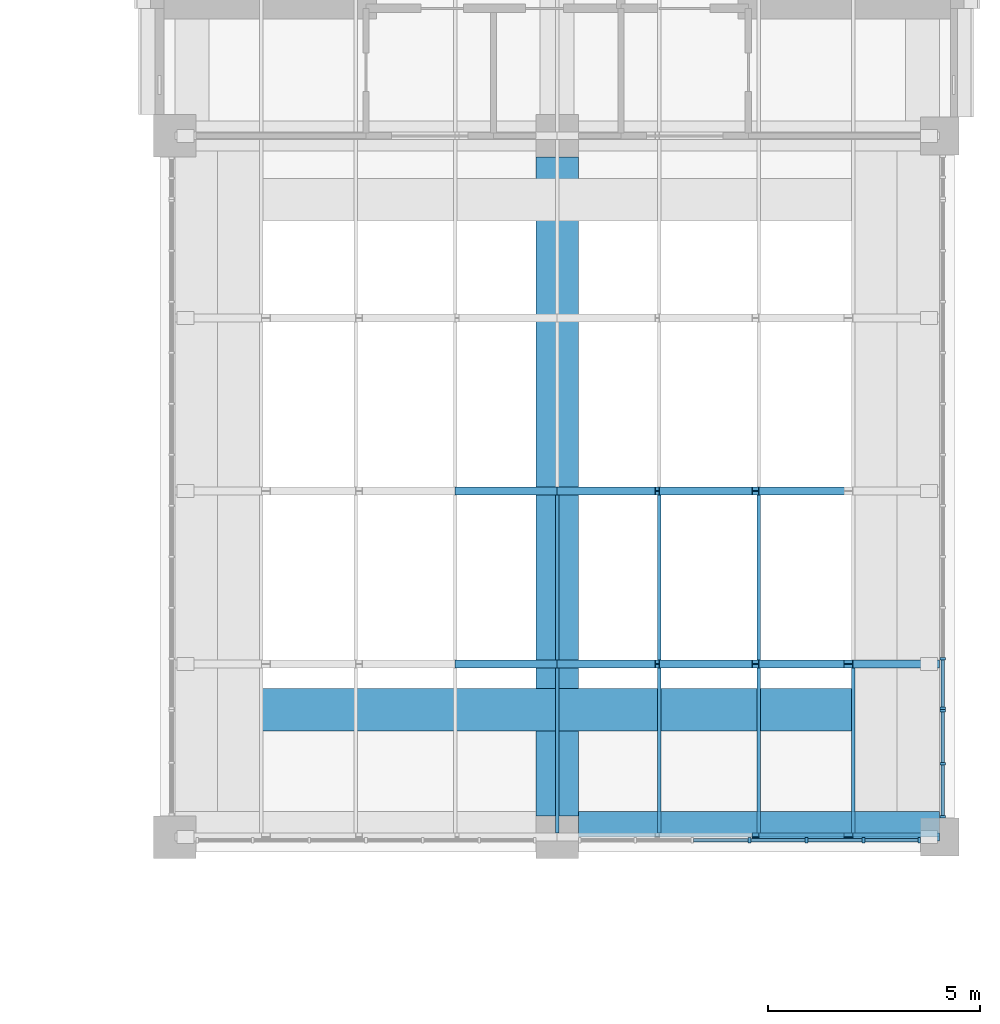
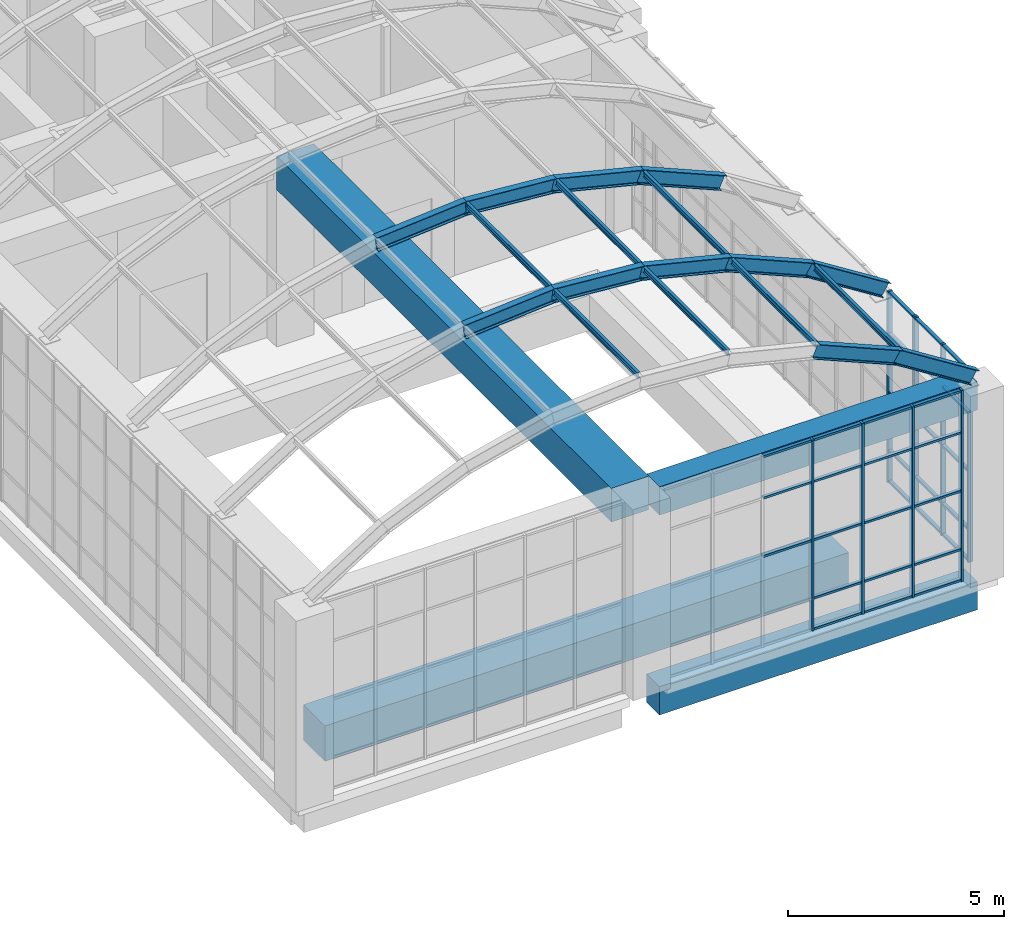
# One storey, part 8 of 39: 60 members, 4 beams, 3 elements without a shape of their own.
"""IFC4 building model written with IfcOpenShell, lengths in metres."""

from ifc_helpers import new_model, si_unit, direction, frame, origin, origin_2d, place, context, subcontext, project, spatial, rectangle, i_section, extrude, material, layer, layer_set, material_profile, profile_set, type_object, element, aggregate, save


model = new_model("IFC4")

# Units and contexts
model_context = context("Model", 3, precision=1e-05, world=origin(), true_north=direction((0.0, 1.0)))
body_context = subcontext(model_context, "Body", "Model", "MODEL_VIEW")
ifc_project = project(units=[si_unit("LENGTHUNIT", "METRE"), si_unit("AREAUNIT", "SQUARE_METRE"), si_unit("VOLUMEUNIT", "CUBIC_METRE"), si_unit("PLANEANGLEUNIT", "RADIAN"), si_unit("MASSUNIT", "GRAM", prefix="KILO")], contexts=[model_context])

# Site, building, storey
site_placement = place(None, origin())
site = spatial("IfcSite", under=ifc_project, at=site_placement, CompositionType="ELEMENT")
building_placement = place(site_placement, origin())
building = spatial("IfcBuilding", under=site, at=building_placement, Name="Aurelan Courthouse", CompositionType="ELEMENT")
storey_placement = place(building_placement, frame((0.0, 0.0, 28.199951171875)))
storey = spatial("IfcBuildingStorey", under=building, at=storey_placement, Name="L05", CompositionType="ELEMENT", Elevation=28.199951171875)

# Curtain wall, members
ifc_material_1 = material(Name="Bronze-finished aluminium and glass", Category="aluminium")
ifc_layer_1 = layer(ifc_material_1, 0.14990234375)
ifc_layer_set_1 = layer_set([ifc_layer_1], Name="Bronze-finished aluminium and glass")
curtain_wall_type_1 = type_object("IfcCurtainWallType", Name="Curtain wall 8050 x 5400", PredefinedType="NOTDEFINED", material=ifc_layer_set_1)
curtain_wall_1_placement = place(storey_placement, origin())
curtain_wall_1 = element("IfcCurtainWall", 1, at=curtain_wall_1_placement, inside=storey, type_object=curtain_wall_type_1, Name="Curtain wall CW-V3-L05-S02", PredefinedType="NOTDEFINED")
ifc_material_2 = material(Name="Bronze-finished aluminium", Category="aluminium")
ifc_material_profile_1 = material_profile(ifc_material_2, rectangle(XDim=0.125, YDim=0.06005859375, at=origin_2d()), Name="Bronze mullion 60 x 125")
ifc_profile_set_1 = profile_set([ifc_material_profile_1], Name="Bronze-finished aluminium")
member_type_1 = type_object("IfcMemberType", Name="Curtain wall mullion 60 x 125", PredefinedType="MULLION", material=ifc_profile_set_1)
member_1_placement = place(storey_placement, frame((85.52490234375, 37.425048828125, 0.0), z_axis=(0.0, 0.0, 1.0), x_axis=(0.0, 1.0, 0.0)))
member_1 = element("IfcMember", 2, at=member_1_placement, type_object=member_type_1, Name="CW-V3-L05-S02 mullion 4", PredefinedType="MULLION", context=body_context, shape_type="SweptSolid", body=[
    extrude(rectangle(XDim=0.125, YDim=0.06005859375, at=origin_2d()), origin(), (0.0, 0.0, 1.0), 5.400146484375),
])
member_2_placement = place(storey_placement, frame((86.86669921875, 37.425048828125, 0.0), z_axis=(0.0, 0.0, 1.0), x_axis=(0.0, 1.0, 0.0)))
member_2 = element("IfcMember", 3, at=member_2_placement, type_object=member_type_1, Name="CW-V3-L05-S02 mullion 5", PredefinedType="MULLION", context=body_context, shape_type="SweptSolid", body=[
    extrude(rectangle(XDim=0.125, YDim=0.06005859375, at=origin_2d()), origin(), (0.0, 0.0, 1.0), 5.400146484375),
])
member_3_placement = place(storey_placement, frame((88.208251953125, 37.425048828125, 0.0), z_axis=(0.0, 0.0, 1.0), x_axis=(0.0, 1.0, 0.0)))
member_3 = element("IfcMember", 4, at=member_3_placement, type_object=member_type_1, Name="CW-V3-L05-S02 mullion 6", PredefinedType="MULLION", context=body_context, shape_type="SweptSolid", body=[
    extrude(rectangle(XDim=0.125, YDim=0.06005859375, at=origin_2d()), origin(), (0.0, 0.0, 1.0), 5.400146484375),
])
member_4_placement = place(storey_placement, frame((89.52001953125, 37.425048828125, 0.0), z_axis=(0.0, 0.0, 1.0), x_axis=(0.0, 1.0, 0.0)))
member_4 = element("IfcMember", 5, at=member_4_placement, type_object=member_type_1, Name="CW-V3-L05-S02 mullion 7", PredefinedType="MULLION", context=body_context, shape_type="SweptSolid", body=[
    extrude(rectangle(XDim=0.125, YDim=0.06005859375, at=origin_2d()), origin(), (0.0, 0.0, 1.0), 5.400146484375),
])

ifc_layer_2 = layer(ifc_material_1, 0.14990234375)
ifc_layer_set_2 = layer_set([ifc_layer_2], Name="Bronze-finished aluminium and glass")
curtain_wall_type_2 = type_object("IfcCurtainWallType", Name="Curtain wall 2550 x 5400", PredefinedType="NOTDEFINED", material=ifc_layer_set_2)
curtain_wall_2_placement = place(storey_placement, origin())
curtain_wall_2 = element("IfcCurtainWall", 6, at=curtain_wall_2_placement, inside=storey, type_object=curtain_wall_type_2, Name="Curtain wall CW-V3-L05-E01", PredefinedType="NOTDEFINED")
member_5_placement = place(storey_placement, frame((90.074951171875, 37.97998046875, 0.0), z_axis=(0.0, 0.0, 1.0), x_axis=(-1.0, 0.0, 0.0)))
member_5 = element("IfcMember", 7, at=member_5_placement, type_object=member_type_1, Name="CW-V3-L05-E01 mullion 1", PredefinedType="MULLION", context=body_context, shape_type="SweptSolid", body=[
    extrude(rectangle(XDim=0.125, YDim=0.06005859375, at=origin_2d()), origin(), (0.0, 0.0, 1.0), 5.400146484375),
])
member_6_placement = place(storey_placement, frame((90.074951171875, 39.22509765625, 0.0), z_axis=(0.0, 0.0, 1.0), x_axis=(-1.0, 0.0, 0.0)))
member_6 = element("IfcMember", 8, at=member_6_placement, type_object=member_type_1, Name="CW-V3-L05-E01 mullion 2", PredefinedType="MULLION", context=body_context, shape_type="SweptSolid", body=[
    extrude(rectangle(XDim=0.125, YDim=0.06005859375, at=origin_2d()), origin(), (0.0, 0.0, 1.0), 5.400146484375),
])
member_7_placement = place(storey_placement, frame((90.074951171875, 40.469970703125, 0.0), z_axis=(0.0, 0.0, 1.0), x_axis=(-1.0, 0.0, 0.0)))
member_7 = element("IfcMember", 9, at=member_7_placement, type_object=member_type_1, Name="CW-V3-L05-E01 mullion 3", PredefinedType="MULLION", context=body_context, shape_type="SweptSolid", body=[
    extrude(rectangle(XDim=0.125, YDim=0.06005859375, at=origin_2d()), origin(), (0.0, 0.0, 1.0), 5.400146484375),
])

ifc_layer_3 = layer(ifc_material_1, 0.14990234375)
ifc_layer_set_3 = layer_set([ifc_layer_3], Name="Bronze-finished aluminium and glass")
curtain_wall_type_3 = type_object("IfcCurtainWallType", Name="Curtain wall 12000 x 5400", PredefinedType="NOTDEFINED", material=ifc_layer_set_3)
curtain_wall_3_placement = place(storey_placement, origin())
curtain_wall_3 = element("IfcCurtainWall", 10, at=curtain_wall_3_placement, inside=storey, type_object=curtain_wall_type_3, Name="Curtain wall CW-V3-L05-E02", PredefinedType="NOTDEFINED")
member_8_placement = place(storey_placement, frame((90.074951171875, 40.530029296875, 0.0), z_axis=(0.0, 0.0, 1.0), x_axis=(-1.0, 0.0, 0.0)))
member_8 = element("IfcMember", 11, at=member_8_placement, type_object=member_type_1, Name="CW-V3-L05-E02 mullion 1", PredefinedType="MULLION", context=body_context, shape_type="SweptSolid", body=[
    extrude(rectangle(XDim=0.125, YDim=0.06005859375, at=origin_2d()), origin(), (0.0, 0.0, 1.0), 5.400146484375),
])
member_9_placement = place(storey_placement, frame((90.074951171875, 41.699951171875, 0.0), z_axis=(0.0, 0.0, 1.0), x_axis=(-1.0, 0.0, 0.0)))
member_9 = element("IfcMember", 12, at=member_9_placement, type_object=member_type_1, Name="CW-V3-L05-E02 mullion 2", PredefinedType="MULLION", context=body_context, shape_type="SweptSolid", body=[
    extrude(rectangle(XDim=0.125, YDim=0.06005859375, at=origin_2d()), origin(), (0.0, 0.0, 1.0), 5.400146484375),
])

# Member
ifc_material_profile_2 = material_profile(ifc_material_2, rectangle(XDim=0.090087890625, YDim=0.06005859375, at=origin_2d()), Name="Bronze transom 60 x 90")
ifc_profile_set_2 = profile_set([ifc_material_profile_2], Name="Bronze-finished aluminium")
member_type_2 = type_object("IfcMemberType", Name="Curtain wall transom 60 x 90", PredefinedType="USERDEFINED", material=ifc_profile_set_2)
member_10_placement = place(storey_placement, frame((84.21337890625, 37.425048828125, 2.550048828125), z_axis=(1.0, 0.0, 0.0), x_axis=(0.0, 1.0, 0.0)))
member_10 = element("IfcMember", 13, at=member_10_placement, type_object=member_type_2, Name="CW-V3-L05-S02 transom 3.3", ObjectType="TRANSOM", PredefinedType="USERDEFINED", context=body_context, shape_type="SweptSolid", body=[
    extrude(rectangle(XDim=0.090087890625, YDim=0.06005859375, at=origin_2d()), origin(), (0.0, 0.0, 1.0), 1.28173828125),
])

member_11_placement = place(storey_placement, frame((84.21337890625, 37.425048828125, 4.199951171875), z_axis=(1.0, 0.0, 0.0), x_axis=(0.0, 1.0, 0.0)))
member_11 = element("IfcMember", 14, at=member_11_placement, type_object=member_type_2, Name="CW-V3-L05-S02 transom 3.4", ObjectType="TRANSOM", PredefinedType="USERDEFINED", context=body_context, shape_type="SweptSolid", body=[
    extrude(rectangle(XDim=0.090087890625, YDim=0.06005859375, at=origin_2d()), origin(), (0.0, 0.0, 1.0), 1.28173828125),
])

member_12_placement = place(storey_placement, frame((84.21337890625, 37.425048828125, 5.3701171875), z_axis=(1.0, 0.0, 0.0), x_axis=(0.0, 1.0, 0.0)))
member_12 = element("IfcMember", 15, at=member_12_placement, type_object=member_type_2, Name="CW-V3-L05-S02 transom 3.5", ObjectType="TRANSOM", PredefinedType="USERDEFINED", context=body_context, shape_type="SweptSolid", body=[
    extrude(rectangle(XDim=0.090087890625, YDim=0.06005859375, at=origin_2d()), origin(), (0.0, 0.0, 1.0), 1.28173828125),
])

member_13_placement = place(storey_placement, frame((85.554931640625, 37.425048828125, 0.030029296875), z_axis=(1.0, 0.0, 0.0), x_axis=(0.0, 1.0, 0.0)))
member_13 = element("IfcMember", 16, at=member_13_placement, type_object=member_type_2, Name="CW-V3-L05-S02 transom 4.1", ObjectType="TRANSOM", PredefinedType="USERDEFINED", context=body_context, shape_type="SweptSolid", body=[
    extrude(rectangle(XDim=0.090087890625, YDim=0.06005859375, at=origin_2d()), origin(), (0.0, 0.0, 1.0), 1.28173828125),
])

member_14_placement = place(storey_placement, frame((85.554931640625, 37.425048828125, 0.900146484375), z_axis=(1.0, 0.0, 0.0), x_axis=(0.0, 1.0, 0.0)))
member_14 = element("IfcMember", 17, at=member_14_placement, type_object=member_type_2, Name="CW-V3-L05-S02 transom 4.2", ObjectType="TRANSOM", PredefinedType="USERDEFINED", context=body_context, shape_type="SweptSolid", body=[
    extrude(rectangle(XDim=0.090087890625, YDim=0.06005859375, at=origin_2d()), origin(), (0.0, 0.0, 1.0), 1.28173828125),
])

member_15_placement = place(storey_placement, frame((85.554931640625, 37.425048828125, 2.550048828125), z_axis=(1.0, 0.0, 0.0), x_axis=(0.0, 1.0, 0.0)))
member_15 = element("IfcMember", 18, at=member_15_placement, type_object=member_type_2, Name="CW-V3-L05-S02 transom 4.3", ObjectType="TRANSOM", PredefinedType="USERDEFINED", context=body_context, shape_type="SweptSolid", body=[
    extrude(rectangle(XDim=0.090087890625, YDim=0.06005859375, at=origin_2d()), origin(), (0.0, 0.0, 1.0), 1.28173828125),
])

member_16_placement = place(storey_placement, frame((85.554931640625, 37.425048828125, 4.199951171875), z_axis=(1.0, 0.0, 0.0), x_axis=(0.0, 1.0, 0.0)))
member_16 = element("IfcMember", 19, at=member_16_placement, type_object=member_type_2, Name="CW-V3-L05-S02 transom 4.4", ObjectType="TRANSOM", PredefinedType="USERDEFINED", context=body_context, shape_type="SweptSolid", body=[
    extrude(rectangle(XDim=0.090087890625, YDim=0.06005859375, at=origin_2d()), origin(), (0.0, 0.0, 1.0), 1.28173828125),
])

member_17_placement = place(storey_placement, frame((85.554931640625, 37.425048828125, 5.3701171875), z_axis=(1.0, 0.0, 0.0), x_axis=(0.0, 1.0, 0.0)))
member_17 = element("IfcMember", 20, at=member_17_placement, type_object=member_type_2, Name="CW-V3-L05-S02 transom 4.5", ObjectType="TRANSOM", PredefinedType="USERDEFINED", context=body_context, shape_type="SweptSolid", body=[
    extrude(rectangle(XDim=0.090087890625, YDim=0.06005859375, at=origin_2d()), origin(), (0.0, 0.0, 1.0), 1.28173828125),
])

member_18_placement = place(storey_placement, frame((86.896728515625, 37.425048828125, 0.030029296875), z_axis=(1.0, 0.0, 0.0), x_axis=(0.0, 1.0, 0.0)))
member_18 = element("IfcMember", 21, at=member_18_placement, type_object=member_type_2, Name="CW-V3-L05-S02 transom 5.1", ObjectType="TRANSOM", PredefinedType="USERDEFINED", context=body_context, shape_type="SweptSolid", body=[
    extrude(rectangle(XDim=0.090087890625, YDim=0.06005859375, at=origin_2d()), origin(), (0.0, 0.0, 1.0), 1.281494140625),
])

member_19_placement = place(storey_placement, frame((86.896728515625, 37.425048828125, 0.900146484375), z_axis=(1.0, 0.0, 0.0), x_axis=(0.0, 1.0, 0.0)))
member_19 = element("IfcMember", 22, at=member_19_placement, type_object=member_type_2, Name="CW-V3-L05-S02 transom 5.2", ObjectType="TRANSOM", PredefinedType="USERDEFINED", context=body_context, shape_type="SweptSolid", body=[
    extrude(rectangle(XDim=0.090087890625, YDim=0.06005859375, at=origin_2d()), origin(), (0.0, 0.0, 1.0), 1.281494140625),
])

member_20_placement = place(storey_placement, frame((86.896728515625, 37.425048828125, 2.550048828125), z_axis=(1.0, 0.0, 0.0), x_axis=(0.0, 1.0, 0.0)))
member_20 = element("IfcMember", 23, at=member_20_placement, type_object=member_type_2, Name="CW-V3-L05-S02 transom 5.3", ObjectType="TRANSOM", PredefinedType="USERDEFINED", context=body_context, shape_type="SweptSolid", body=[
    extrude(rectangle(XDim=0.090087890625, YDim=0.06005859375, at=origin_2d()), origin(), (0.0, 0.0, 1.0), 1.281494140625),
])

member_21_placement = place(storey_placement, frame((86.896728515625, 37.425048828125, 4.199951171875), z_axis=(1.0, 0.0, 0.0), x_axis=(0.0, 1.0, 0.0)))
member_21 = element("IfcMember", 24, at=member_21_placement, type_object=member_type_2, Name="CW-V3-L05-S02 transom 5.4", ObjectType="TRANSOM", PredefinedType="USERDEFINED", context=body_context, shape_type="SweptSolid", body=[
    extrude(rectangle(XDim=0.090087890625, YDim=0.06005859375, at=origin_2d()), origin(), (0.0, 0.0, 1.0), 1.281494140625),
])

member_22_placement = place(storey_placement, frame((86.896728515625, 37.425048828125, 5.3701171875), z_axis=(1.0, 0.0, 0.0), x_axis=(0.0, 1.0, 0.0)))
member_22 = element("IfcMember", 25, at=member_22_placement, type_object=member_type_2, Name="CW-V3-L05-S02 transom 5.5", ObjectType="TRANSOM", PredefinedType="USERDEFINED", context=body_context, shape_type="SweptSolid", body=[
    extrude(rectangle(XDim=0.090087890625, YDim=0.06005859375, at=origin_2d()), origin(), (0.0, 0.0, 1.0), 1.281494140625),
])

member_23_placement = place(storey_placement, frame((88.23828125, 37.425048828125, 0.030029296875), z_axis=(1.0, 0.0, 0.0), x_axis=(0.0, 1.0, 0.0)))
member_23 = element("IfcMember", 26, at=member_23_placement, type_object=member_type_2, Name="CW-V3-L05-S02 transom 6.1", ObjectType="TRANSOM", PredefinedType="USERDEFINED", context=body_context, shape_type="SweptSolid", body=[
    extrude(rectangle(XDim=0.090087890625, YDim=0.06005859375, at=origin_2d()), origin(), (0.0, 0.0, 1.0), 1.251708984375),
])

member_24_placement = place(storey_placement, frame((88.23828125, 37.425048828125, 0.900146484375), z_axis=(1.0, 0.0, 0.0), x_axis=(0.0, 1.0, 0.0)))
member_24 = element("IfcMember", 27, at=member_24_placement, type_object=member_type_2, Name="CW-V3-L05-S02 transom 6.2", ObjectType="TRANSOM", PredefinedType="USERDEFINED", context=body_context, shape_type="SweptSolid", body=[
    extrude(rectangle(XDim=0.090087890625, YDim=0.06005859375, at=origin_2d()), origin(), (0.0, 0.0, 1.0), 1.251708984375),
])

member_25_placement = place(storey_placement, frame((88.23828125, 37.425048828125, 2.550048828125), z_axis=(1.0, 0.0, 0.0), x_axis=(0.0, 1.0, 0.0)))
member_25 = element("IfcMember", 28, at=member_25_placement, type_object=member_type_2, Name="CW-V3-L05-S02 transom 6.3", ObjectType="TRANSOM", PredefinedType="USERDEFINED", context=body_context, shape_type="SweptSolid", body=[
    extrude(rectangle(XDim=0.090087890625, YDim=0.06005859375, at=origin_2d()), origin(), (0.0, 0.0, 1.0), 1.251708984375),
])

member_26_placement = place(storey_placement, frame((88.23828125, 37.425048828125, 4.199951171875), z_axis=(1.0, 0.0, 0.0), x_axis=(0.0, 1.0, 0.0)))
member_26 = element("IfcMember", 29, at=member_26_placement, type_object=member_type_2, Name="CW-V3-L05-S02 transom 6.4", ObjectType="TRANSOM", PredefinedType="USERDEFINED", context=body_context, shape_type="SweptSolid", body=[
    extrude(rectangle(XDim=0.090087890625, YDim=0.06005859375, at=origin_2d()), origin(), (0.0, 0.0, 1.0), 1.251708984375),
])

member_27_placement = place(storey_placement, frame((88.23828125, 37.425048828125, 5.3701171875), z_axis=(1.0, 0.0, 0.0), x_axis=(0.0, 1.0, 0.0)))
member_27 = element("IfcMember", 30, at=member_27_placement, type_object=member_type_2, Name="CW-V3-L05-S02 transom 6.5", ObjectType="TRANSOM", PredefinedType="USERDEFINED", context=body_context, shape_type="SweptSolid", body=[
    extrude(rectangle(XDim=0.090087890625, YDim=0.06005859375, at=origin_2d()), origin(), (0.0, 0.0, 1.0), 1.251708984375),
])

aggregate(curtain_wall_1, [member_1, member_2, member_3, member_4, member_10, member_11, member_12, member_13, member_14, member_15, member_16, member_17, member_18, member_19, member_20, member_21, member_22, member_23, member_24, member_25, member_26, member_27])

member_28_placement = place(storey_placement, frame((90.074951171875, 38.010009765625, 0.030029296875), z_axis=(0.0, 1.0, 0.0), x_axis=(-1.0, 0.0, 0.0)))
member_28 = element("IfcMember", 31, at=member_28_placement, type_object=member_type_2, Name="CW-V3-L05-E01 transom 1.1", ObjectType="TRANSOM", PredefinedType="USERDEFINED", context=body_context, shape_type="SweptSolid", body=[
    extrude(rectangle(XDim=0.090087890625, YDim=0.06005859375, at=origin_2d()), origin(), (0.0, 0.0, 1.0), 1.18505859375),
])

member_29_placement = place(storey_placement, frame((90.074951171875, 38.010009765625, 0.900146484375), z_axis=(0.0, 1.0, 0.0), x_axis=(-1.0, 0.0, 0.0)))
member_29 = element("IfcMember", 32, at=member_29_placement, type_object=member_type_2, Name="CW-V3-L05-E01 transom 1.2", ObjectType="TRANSOM", PredefinedType="USERDEFINED", context=body_context, shape_type="SweptSolid", body=[
    extrude(rectangle(XDim=0.090087890625, YDim=0.06005859375, at=origin_2d()), origin(), (0.0, 0.0, 1.0), 1.18505859375),
])

member_30_placement = place(storey_placement, frame((90.074951171875, 38.010009765625, 2.550048828125), z_axis=(0.0, 1.0, 0.0), x_axis=(-1.0, 0.0, 0.0)))
member_30 = element("IfcMember", 33, at=member_30_placement, type_object=member_type_2, Name="CW-V3-L05-E01 transom 1.3", ObjectType="TRANSOM", PredefinedType="USERDEFINED", context=body_context, shape_type="SweptSolid", body=[
    extrude(rectangle(XDim=0.090087890625, YDim=0.06005859375, at=origin_2d()), origin(), (0.0, 0.0, 1.0), 1.18505859375),
])

member_31_placement = place(storey_placement, frame((90.074951171875, 38.010009765625, 4.199951171875), z_axis=(0.0, 1.0, 0.0), x_axis=(-1.0, 0.0, 0.0)))
member_31 = element("IfcMember", 34, at=member_31_placement, type_object=member_type_2, Name="CW-V3-L05-E01 transom 1.4", ObjectType="TRANSOM", PredefinedType="USERDEFINED", context=body_context, shape_type="SweptSolid", body=[
    extrude(rectangle(XDim=0.090087890625, YDim=0.06005859375, at=origin_2d()), origin(), (0.0, 0.0, 1.0), 1.18505859375),
])

member_32_placement = place(storey_placement, frame((90.074951171875, 38.010009765625, 5.3701171875), z_axis=(0.0, 1.0, 0.0), x_axis=(-1.0, 0.0, 0.0)))
member_32 = element("IfcMember", 35, at=member_32_placement, type_object=member_type_2, Name="CW-V3-L05-E01 transom 1.5", ObjectType="TRANSOM", PredefinedType="USERDEFINED", context=body_context, shape_type="SweptSolid", body=[
    extrude(rectangle(XDim=0.090087890625, YDim=0.06005859375, at=origin_2d()), origin(), (0.0, 0.0, 1.0), 1.18505859375),
])

member_33_placement = place(storey_placement, frame((90.074951171875, 39.2548828125, 0.030029296875), z_axis=(0.0, 1.0, 0.0), x_axis=(-1.0, 0.0, 0.0)))
member_33 = element("IfcMember", 36, at=member_33_placement, type_object=member_type_2, Name="CW-V3-L05-E01 transom 2.1", ObjectType="TRANSOM", PredefinedType="USERDEFINED", context=body_context, shape_type="SweptSolid", body=[
    extrude(rectangle(XDim=0.090087890625, YDim=0.06005859375, at=origin_2d()), origin(), (0.0, 0.0, 1.0), 1.18505859375),
])

member_34_placement = place(storey_placement, frame((90.074951171875, 39.2548828125, 0.900146484375), z_axis=(0.0, 1.0, 0.0), x_axis=(-1.0, 0.0, 0.0)))
member_34 = element("IfcMember", 37, at=member_34_placement, type_object=member_type_2, Name="CW-V3-L05-E01 transom 2.2", ObjectType="TRANSOM", PredefinedType="USERDEFINED", context=body_context, shape_type="SweptSolid", body=[
    extrude(rectangle(XDim=0.090087890625, YDim=0.06005859375, at=origin_2d()), origin(), (0.0, 0.0, 1.0), 1.18505859375),
])

member_35_placement = place(storey_placement, frame((90.074951171875, 39.2548828125, 2.550048828125), z_axis=(0.0, 1.0, 0.0), x_axis=(-1.0, 0.0, 0.0)))
member_35 = element("IfcMember", 38, at=member_35_placement, type_object=member_type_2, Name="CW-V3-L05-E01 transom 2.3", ObjectType="TRANSOM", PredefinedType="USERDEFINED", context=body_context, shape_type="SweptSolid", body=[
    extrude(rectangle(XDim=0.090087890625, YDim=0.06005859375, at=origin_2d()), origin(), (0.0, 0.0, 1.0), 1.18505859375),
])

member_36_placement = place(storey_placement, frame((90.074951171875, 39.2548828125, 4.199951171875), z_axis=(0.0, 1.0, 0.0), x_axis=(-1.0, 0.0, 0.0)))
member_36 = element("IfcMember", 39, at=member_36_placement, type_object=member_type_2, Name="CW-V3-L05-E01 transom 2.4", ObjectType="TRANSOM", PredefinedType="USERDEFINED", context=body_context, shape_type="SweptSolid", body=[
    extrude(rectangle(XDim=0.090087890625, YDim=0.06005859375, at=origin_2d()), origin(), (0.0, 0.0, 1.0), 1.18505859375),
])

member_37_placement = place(storey_placement, frame((90.074951171875, 39.2548828125, 5.3701171875), z_axis=(0.0, 1.0, 0.0), x_axis=(-1.0, 0.0, 0.0)))
member_37 = element("IfcMember", 40, at=member_37_placement, type_object=member_type_2, Name="CW-V3-L05-E01 transom 2.5", ObjectType="TRANSOM", PredefinedType="USERDEFINED", context=body_context, shape_type="SweptSolid", body=[
    extrude(rectangle(XDim=0.090087890625, YDim=0.06005859375, at=origin_2d()), origin(), (0.0, 0.0, 1.0), 1.18505859375),
])

aggregate(curtain_wall_2, [member_5, member_6, member_7, member_28, member_29, member_30, member_31, member_32, member_33, member_34, member_35, member_36, member_37])

member_38_placement = place(storey_placement, frame((90.074951171875, 40.56005859375, 0.030029296875), z_axis=(0.0, 1.0, 0.0), x_axis=(-1.0, 0.0, 0.0)))
member_38 = element("IfcMember", 41, at=member_38_placement, type_object=member_type_2, Name="CW-V3-L05-E02 transom 1.1", ObjectType="TRANSOM", PredefinedType="USERDEFINED", context=body_context, shape_type="SweptSolid", body=[
    extrude(rectangle(XDim=0.090087890625, YDim=0.06005859375, at=origin_2d()), origin(), (0.0, 0.0, 1.0), 1.10986328125),
])

member_39_placement = place(storey_placement, frame((90.074951171875, 40.56005859375, 0.900146484375), z_axis=(0.0, 1.0, 0.0), x_axis=(-1.0, 0.0, 0.0)))
member_39 = element("IfcMember", 42, at=member_39_placement, type_object=member_type_2, Name="CW-V3-L05-E02 transom 1.2", ObjectType="TRANSOM", PredefinedType="USERDEFINED", context=body_context, shape_type="SweptSolid", body=[
    extrude(rectangle(XDim=0.090087890625, YDim=0.06005859375, at=origin_2d()), origin(), (0.0, 0.0, 1.0), 1.10986328125),
])

member_40_placement = place(storey_placement, frame((90.074951171875, 40.56005859375, 2.550048828125), z_axis=(0.0, 1.0, 0.0), x_axis=(-1.0, 0.0, 0.0)))
member_40 = element("IfcMember", 43, at=member_40_placement, type_object=member_type_2, Name="CW-V3-L05-E02 transom 1.3", ObjectType="TRANSOM", PredefinedType="USERDEFINED", context=body_context, shape_type="SweptSolid", body=[
    extrude(rectangle(XDim=0.090087890625, YDim=0.06005859375, at=origin_2d()), origin(), (0.0, 0.0, 1.0), 1.10986328125),
])

member_41_placement = place(storey_placement, frame((90.074951171875, 40.56005859375, 4.199951171875), z_axis=(0.0, 1.0, 0.0), x_axis=(-1.0, 0.0, 0.0)))
member_41 = element("IfcMember", 44, at=member_41_placement, type_object=member_type_2, Name="CW-V3-L05-E02 transom 1.4", ObjectType="TRANSOM", PredefinedType="USERDEFINED", context=body_context, shape_type="SweptSolid", body=[
    extrude(rectangle(XDim=0.090087890625, YDim=0.06005859375, at=origin_2d()), origin(), (0.0, 0.0, 1.0), 1.10986328125),
])

member_42_placement = place(storey_placement, frame((90.074951171875, 40.56005859375, 5.3701171875), z_axis=(0.0, 1.0, 0.0), x_axis=(-1.0, 0.0, 0.0)))
member_42 = element("IfcMember", 45, at=member_42_placement, type_object=member_type_2, Name="CW-V3-L05-E02 transom 1.5", ObjectType="TRANSOM", PredefinedType="USERDEFINED", context=body_context, shape_type="SweptSolid", body=[
    extrude(rectangle(XDim=0.090087890625, YDim=0.06005859375, at=origin_2d()), origin(), (0.0, 0.0, 1.0), 1.10986328125),
])

aggregate(curtain_wall_3, [member_8, member_9, member_38, member_39, member_40, member_41, member_42])

# Beams
ifc_material_3 = material(Name="Concrete C50", Category="concrete")
ifc_material_profile_3 = material_profile(ifc_material_3, rectangle(XDim=1.0, YDim=0.949951171875, at=origin_2d()), Name="RC 1000 x 950")
ifc_profile_set_3 = profile_set([ifc_material_profile_3], Name="Concrete C50")
beam_type_1 = type_object("IfcBeamType", Name="PT girder 1000 x 950", PredefinedType="BEAM", material=ifc_profile_set_3)
beam_1_placement = place(storey_placement, frame((81.0, 38.0, 4.925048828125), z_axis=(0.0, 1.0, 0.0), x_axis=(-1.0, 0.0, 0.0)))
element("IfcBeam", 46, at=beam_1_placement, inside=storey, type_object=beam_type_1, Name="Girder GB-10DER", PredefinedType="BEAM", context=body_context, shape_type="SweptSolid", body=[
    extrude(rectangle(XDim=1.0, YDim=0.949951171875, at=origin_2d()), origin(), (0.0, 0.0, 1.0), 15.5),
])
ifc_material_profile_4 = material_profile(ifc_material_3, rectangle(XDim=0.60009765625, YDim=0.800048828125, at=origin_2d()), Name="RC 600 x 800")
ifc_profile_set_4 = profile_set([ifc_material_profile_4], Name="Concrete C50")
beam_type_2 = type_object("IfcBeamType", Name="RC spandrel beam 600 x 800", PredefinedType="SPANDREL", material=ifc_profile_set_4)
for number, where, z_axis, x_axis, name in (
    (47, (81.5, 37.800048828125, -0.64990234375), (1.0, 0.0, 0.0), (0.0, 1.0, 0.0), "Spandrel beam SB-D-10-11"),
    (48, (81.5, 37.800048828125, 5.0), (1.0, 0.0, 0.0), (0.0, 1.0, 0.0), "Spandrel beam SB-D-10-11R"),
):
    element("IfcBeam", number, at=place(storey_placement, frame(where, z_axis=z_axis, x_axis=x_axis)), inside=storey, type_object=beam_type_2, Name=name, PredefinedType="SPANDREL", context=body_context, shape_type="SweptSolid", body=[
        extrude(rectangle(XDim=0.60009765625, YDim=0.800048828125, at=origin_2d()), origin(), (0.0, 0.0, 1.0), 8.5),
    ])
ifc_material_4 = material(Name="Concrete C40", Category="concrete")
ifc_material_profile_5 = material_profile(ifc_material_4, rectangle(XDim=1.0, YDim=1.0, at=origin_2d()), Name="RC 1000 x 1000")
ifc_profile_set_5 = profile_set([ifc_material_profile_5], Name="Concrete C40")
beam_type_3 = type_object("IfcBeamType", Name="RC trimmer beam 1000 x 1000", PredefinedType="JOIST", material=ifc_profile_set_5)
beam_2_placement = place(storey_placement, frame((74.0, 40.5, -0.75), z_axis=(1.0, 0.0, 0.0), x_axis=(0.0, 1.0, 0.0)))
element("IfcBeam", 49, at=beam_2_placement, inside=storey, type_object=beam_type_3, Name="Trimmer beam TB-L05-003", PredefinedType="JOIST", context=body_context, shape_type="SweptSolid", body=[
    extrude(rectangle(XDim=1.0, YDim=1.0, at=origin_2d()), origin(), (0.0, 0.0, 1.0), 14.0),
])

# Members
ifc_material_5 = material(Name="Steel S355", Category="steel")
ifc_material_profile_6 = material_profile(ifc_material_5, i_section(OverallWidth=0.08203125, OverallDepth=0.159912109375, WebThickness=0.0048828125, FlangeThickness=0.00732421875, FilletRadius=0.009033203125, at=origin_2d()), Name="IPE 160")
ifc_profile_set_6 = profile_set([ifc_material_profile_6], Name="Steel S355")
member_type_3 = type_object("IfcMemberType", Name="Vault purlin IPE 160", PredefinedType="PURLIN", material=ifc_profile_set_6)
member_43_placement = place(storey_placement, frame((81.0, 37.590087890625, 8.673828125), z_axis=(0.0, 1.0, 0.0), x_axis=(-1.0, 0.0, 0.0)))
element("IfcMember", 50, at=member_43_placement, inside=storey, type_object=member_type_3, Name="Vault purlin VP 4-1", PredefinedType="PURLIN", context=body_context, shape_type="SweptSolid", body=[
    extrude(i_section(OverallWidth=0.08203125, OverallDepth=0.159912109375, WebThickness=0.0048828125, FlangeThickness=0.00732421875, FilletRadius=0.009033203125, at=origin_2d()), origin(), (0.0, 0.0, 1.0), 3.891357421875),
])
member_44_placement = place(storey_placement, frame((81.0, 41.661376953125, 8.673828125), z_axis=(0.0, 1.0, 0.0), x_axis=(-1.0, 0.0, 0.0)))
element("IfcMember", 51, at=member_44_placement, inside=storey, type_object=member_type_3, Name="Vault purlin VP 4-2", PredefinedType="PURLIN", context=body_context, shape_type="SweptSolid", body=[
    extrude(i_section(OverallWidth=0.08203125, OverallDepth=0.159912109375, WebThickness=0.0048828125, FlangeThickness=0.00732421875, FilletRadius=0.009033203125, at=origin_2d()), origin(), (0.0, 0.0, 1.0), 3.8916015625),
])
member_45_placement = place(storey_placement, frame((83.402587890625, 37.590087890625, 8.473388671875), z_axis=(0.0, 1.0, 0.0), x_axis=(-1.0, 0.0, 0.0)))
element("IfcMember", 52, at=member_45_placement, inside=storey, type_object=member_type_3, Name="Vault purlin VP 5-1", PredefinedType="PURLIN", context=body_context, shape_type="SweptSolid", body=[
    extrude(i_section(OverallWidth=0.08203125, OverallDepth=0.159912109375, WebThickness=0.0048828125, FlangeThickness=0.00732421875, FilletRadius=0.009033203125, at=origin_2d()), origin(), (0.0, 0.0, 1.0), 3.891357421875),
])
member_46_placement = place(storey_placement, frame((83.402587890625, 41.661376953125, 8.473388671875), z_axis=(0.0, 1.0, 0.0), x_axis=(-1.0, 0.0, 0.0)))
element("IfcMember", 53, at=member_46_placement, inside=storey, type_object=member_type_3, Name="Vault purlin VP 5-2", PredefinedType="PURLIN", context=body_context, shape_type="SweptSolid", body=[
    extrude(i_section(OverallWidth=0.08203125, OverallDepth=0.159912109375, WebThickness=0.0048828125, FlangeThickness=0.00732421875, FilletRadius=0.009033203125, at=origin_2d()), origin(), (0.0, 0.0, 1.0), 3.8916015625),
])
member_47_placement = place(storey_placement, frame((85.743408203125, 37.590087890625, 7.89013671875), z_axis=(0.0, 1.0, 0.0), x_axis=(-1.0, 0.0, 0.0)))
element("IfcMember", 54, at=member_47_placement, inside=storey, type_object=member_type_3, Name="Vault purlin VP 6-1", PredefinedType="PURLIN", context=body_context, shape_type="SweptSolid", body=[
    extrude(i_section(OverallWidth=0.08203125, OverallDepth=0.159912109375, WebThickness=0.0048828125, FlangeThickness=0.00732421875, FilletRadius=0.009033203125, at=origin_2d()), origin(), (0.0, 0.0, 1.0), 3.891357421875),
])
member_48_placement = place(storey_placement, frame((85.743408203125, 41.661376953125, 7.89013671875), z_axis=(0.0, 1.0, 0.0), x_axis=(-1.0, 0.0, 0.0)))
element("IfcMember", 55, at=member_48_placement, inside=storey, type_object=member_type_3, Name="Vault purlin VP 6-2", PredefinedType="PURLIN", context=body_context, shape_type="SweptSolid", body=[
    extrude(i_section(OverallWidth=0.08203125, OverallDepth=0.159912109375, WebThickness=0.0048828125, FlangeThickness=0.00732421875, FilletRadius=0.009033203125, at=origin_2d()), origin(), (0.0, 0.0, 1.0), 3.8916015625),
])
member_49_placement = place(storey_placement, frame((87.961669921875, 37.590087890625, 6.93798828125), z_axis=(0.0, 1.0, 0.0), x_axis=(-1.0, 0.0, 0.0)))
element("IfcMember", 56, at=member_49_placement, inside=storey, type_object=member_type_3, Name="Vault purlin VP 7-1", PredefinedType="PURLIN", context=body_context, shape_type="SweptSolid", body=[
    extrude(i_section(OverallWidth=0.08203125, OverallDepth=0.159912109375, WebThickness=0.0048828125, FlangeThickness=0.00732421875, FilletRadius=0.009033203125, at=origin_2d()), origin(), (0.0, 0.0, 1.0), 3.891357421875),
])
ifc_material_profile_7 = material_profile(ifc_material_5, i_section(OverallWidth=0.179931640625, OverallDepth=0.39990234375, WebThickness=0.008544921875, FlangeThickness=0.013427734375, FilletRadius=0.02099609375, at=origin_2d()), Name="IPE 400")
ifc_profile_set_7 = profile_set([ifc_material_profile_7], Name="Steel S355")
member_type_4 = type_object("IfcMemberType", Name="Vault rib IPE 400", PredefinedType="RAFTER", material=ifc_profile_set_7)
for number, where, z_axis, x_axis, name in (
    (57, (85.6650390625, 37.5, 7.804443359375), (0.920205091929, 0.0, -0.391436570582), (0.0, 1.0, 0.0), "Vault rib VR-1 segment 7"),
    (58, (87.854736328125, 37.5, 6.875732421875), (0.84565732059, 0.0, -0.533726237067), (0.0, 1.0, 0.0), "Vault rib VR-1 segment 8"),
    (59, (78.61328125, 41.5712890625, 8.365234375), (0.996769711299, 0.0, 0.080312780031), (0.0, 1.0, 0.0), "Vault rib VR-2 segment 4"),
    (60, (80.98388671875, 41.5712890625, 8.558837890625), (0.996769711299, 0.0, -0.080312780031), (0.0, 1.0, 0.0), "Vault rib VR-2 segment 5"),
):
    element("IfcMember", number, at=place(storey_placement, frame(where, z_axis=z_axis, x_axis=x_axis)), inside=storey, type_object=member_type_4, Name=name, PredefinedType="RAFTER", context=body_context, shape_type="SweptSolid", body=[
        extrude(i_section(OverallWidth=0.179931640625, OverallDepth=0.39990234375, WebThickness=0.008544921875, FlangeThickness=0.013427734375, FilletRadius=0.02099609375, at=origin_2d()), origin(), (0.0, 0.0, 1.0), 2.41064453125),
    ])
member_50_placement = place(storey_placement, frame((83.35498046875, 41.5712890625, 8.370361328125), z_axis=(0.971011985674, 0.0, -0.239030800687), x_axis=(0.0, 1.0, 0.0)))
element("IfcMember", 61, at=member_50_placement, inside=storey, type_object=member_type_4, Name="Vault rib VR-2 segment 6", PredefinedType="RAFTER", context=body_context, shape_type="SweptSolid", body=[
    extrude(i_section(OverallWidth=0.179931640625, OverallDepth=0.39990234375, WebThickness=0.008544921875, FlangeThickness=0.013427734375, FilletRadius=0.02099609375, at=origin_2d()), origin(), (0.0, 0.0, 1.0), 2.410400390625),
])
for number, where, z_axis, x_axis, name in (
    (62, (85.6650390625, 41.5712890625, 7.804443359375), (0.920205091929, 0.0, -0.391436570582), (0.0, 1.0, 0.0), "Vault rib VR-2 segment 7"),
    (63, (87.854736328125, 41.5712890625, 6.875732421875), (0.84565732059, 0.0, -0.533726237067), (0.0, 1.0, 0.0), "Vault rib VR-2 segment 8"),
    (64, (78.61328125, 45.642822265625, 8.365234375), (0.996769711299, 0.0, 0.080312780031), (0.0, 1.0, 0.0), "Vault rib VR-3 segment 4"),
    (65, (80.98388671875, 45.642822265625, 8.558837890625), (0.996769711299, 0.0, -0.080312780031), (0.0, 1.0, 0.0), "Vault rib VR-3 segment 5"),
):
    element("IfcMember", number, at=place(storey_placement, frame(where, z_axis=z_axis, x_axis=x_axis)), inside=storey, type_object=member_type_4, Name=name, PredefinedType="RAFTER", context=body_context, shape_type="SweptSolid", body=[
        extrude(i_section(OverallWidth=0.179931640625, OverallDepth=0.39990234375, WebThickness=0.008544921875, FlangeThickness=0.013427734375, FilletRadius=0.02099609375, at=origin_2d()), origin(), (0.0, 0.0, 1.0), 2.41064453125),
    ])
member_51_placement = place(storey_placement, frame((83.35498046875, 45.642822265625, 8.370361328125), z_axis=(0.971011985674, 0.0, -0.239030800687), x_axis=(0.0, 1.0, 0.0)))
element("IfcMember", 66, at=member_51_placement, inside=storey, type_object=member_type_4, Name="Vault rib VR-3 segment 6", PredefinedType="RAFTER", context=body_context, shape_type="SweptSolid", body=[
    extrude(i_section(OverallWidth=0.179931640625, OverallDepth=0.39990234375, WebThickness=0.008544921875, FlangeThickness=0.013427734375, FilletRadius=0.02099609375, at=origin_2d()), origin(), (0.0, 0.0, 1.0), 2.410400390625),
])
member_52_placement = place(storey_placement, frame((85.6650390625, 45.642822265625, 7.804443359375), z_axis=(0.920205091929, 0.0, -0.391436570582), x_axis=(0.0, 1.0, 0.0)))
element("IfcMember", 67, at=member_52_placement, inside=storey, type_object=member_type_4, Name="Vault rib VR-3 segment 7", PredefinedType="RAFTER", context=body_context, shape_type="SweptSolid", body=[
    extrude(i_section(OverallWidth=0.179931640625, OverallDepth=0.39990234375, WebThickness=0.008544921875, FlangeThickness=0.013427734375, FilletRadius=0.02099609375, at=origin_2d()), origin(), (0.0, 0.0, 1.0), 2.41064453125),
])

save(model, "model.ifc")
